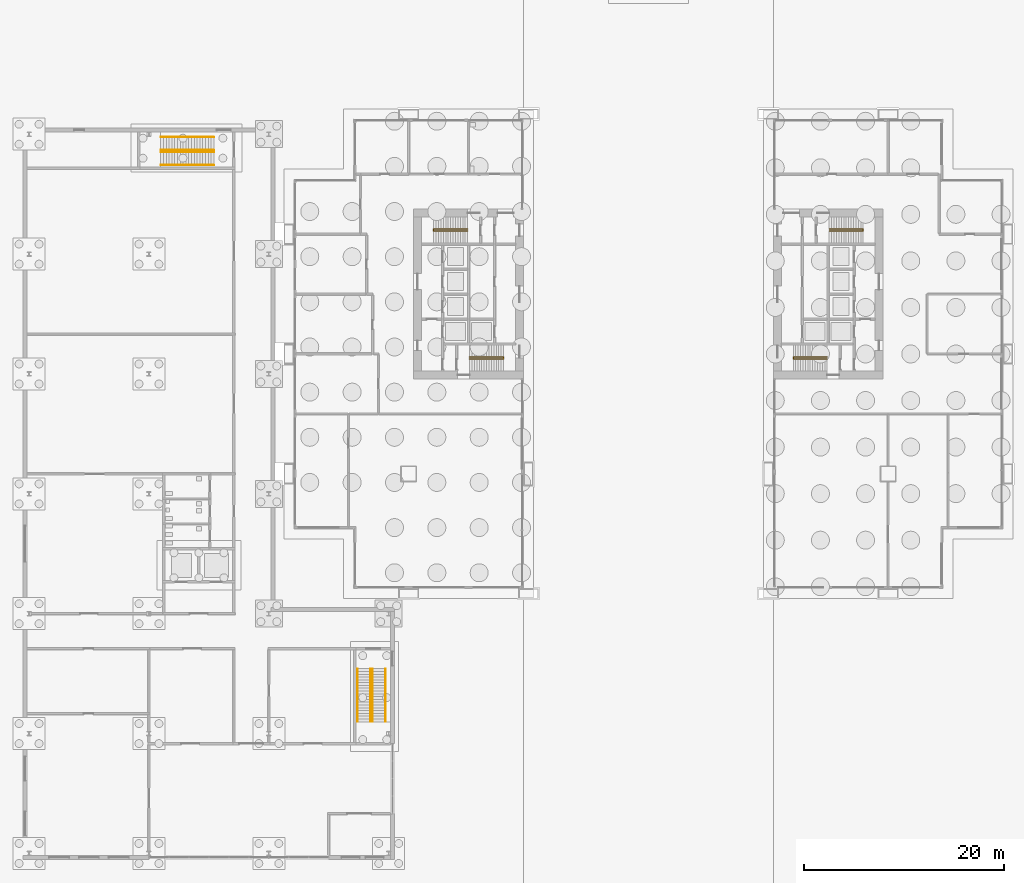
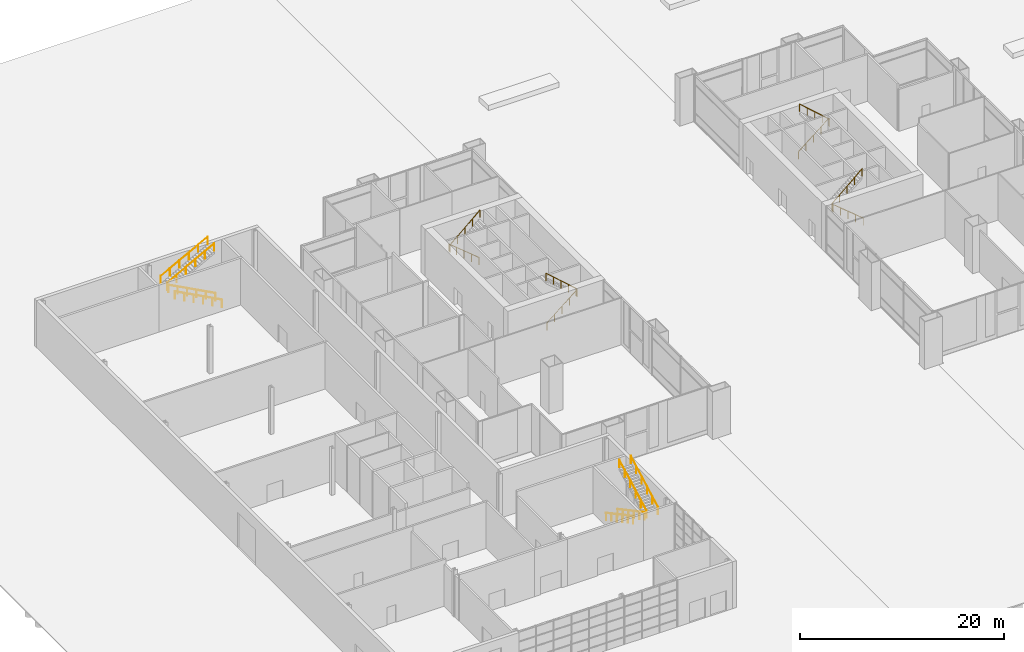
# One storey, part 27 of 29: 12 railings.
"""IFC4 building model written with IfcOpenShell, lengths in metres."""

from ifc_helpers import new_model, si_unit, direction, frame, origin, origin_2d, place, context, subcontext, project, spatial, circle, extrude, material, type_object, element, save


model = new_model("IFC4")

# Units and contexts
model_context = context("Model", 3, precision=1e-05, world=origin(), true_north=direction((0.0, 1.0)))
body_context = subcontext(model_context, "Body", "Model", "MODEL_VIEW")
ifc_project = project(units=[si_unit("LENGTHUNIT", "METRE"), si_unit("AREAUNIT", "SQUARE_METRE"), si_unit("VOLUMEUNIT", "CUBIC_METRE"), si_unit("PLANEANGLEUNIT", "RADIAN"), si_unit("MASSUNIT", "GRAM", prefix="KILO")], contexts=[model_context])

# Site, building, storey
site_placement = place(None, origin())
site = spatial("IfcSite", under=ifc_project, at=site_placement, CompositionType="ELEMENT")
building_placement = place(site_placement, origin())
building = spatial("IfcBuilding", under=site, at=building_placement, Name="Kitamizu Gate Tower and Museum", CompositionType="ELEMENT")
storey_placement = place(building_placement, origin())
storey = spatial("IfcBuildingStorey", under=building, at=storey_placement, Name="L00", CompositionType="ELEMENT", Elevation=0.0)

# Railings
ifc_material_1 = material(Name="Stainless steel SUS304", Category="steel")
railing_type_1 = type_object("IfcRailingType", Name="Museum stair handrail 900", PredefinedType="HANDRAIL", material=ifc_material_1)
for number, where, name in (
    (1, (6.89990234375, -7.5, 0.14990234375), "Handrail stair S"),
    (2, (8.199951171875, -7.5, 0.14990234375), "Handrail stair S"),
):
    element("IfcRailing", number, at=place(storey_placement, frame(where)), inside=storey, type_object=railing_type_1, Name=name, PredefinedType="HANDRAIL", context=body_context, shape_type="SweptSolid", body=[
        extrude(circle(Radius=0.0224609375, at=origin_2d()), frame((0.0, 0.0, 0.87744140625), z_axis=(0.0, -0.881475760486, 0.472229270245), x_axis=(1.0, 0.0, 0.0)), (0.0, 0.0, 1.0), 6.035400390625),
        extrude(circle(Radius=0.01513671875, at=origin_2d()), origin(), (0.0, 0.0, 1.0), 0.85498046875),
        extrude(circle(Radius=0.01513671875, at=origin_2d()), frame((0.0, -1.06396484375, 0.570068359375)), (0.0, 0.0, 1.0), 0.85498046875),
        extrude(circle(Radius=0.01513671875, at=origin_2d()), frame((0.0, -2.1279296875, 1.14013671875)), (0.0, 0.0, 1.0), 0.85498046875),
        extrude(circle(Radius=0.01513671875, at=origin_2d()), frame((0.0, -3.192138671875, 1.7099609375)), (0.0, 0.0, 1.0), 0.85498046875),
        extrude(circle(Radius=0.01513671875, at=origin_2d()), frame((0.0, -4.256103515625, 2.280029296875)), (0.0, 0.0, 1.0), 0.85498046875),
        extrude(circle(Radius=0.01513671875, at=origin_2d()), frame((0.0, -5.320068359375, 2.85009765625)), (0.0, 0.0, 1.0), 0.85498046875),
    ])
for number, where, name in (
    (3, (8.39990234375, -12.820068359375, 3.14990234375), "Handrail stair S"),
    (4, (9.699951171875, -12.820068359375, 3.14990234375), "Handrail stair S"),
):
    element("IfcRailing", number, at=place(storey_placement, frame(where)), inside=storey, type_object=railing_type_1, Name=name, PredefinedType="HANDRAIL", context=body_context, shape_type="SweptSolid", body=[
        extrude(circle(Radius=0.0224609375, at=origin_2d()), frame((0.0, 0.0, 0.87744140625), z_axis=(0.0, 0.881475760486, 0.472229270245), x_axis=(-1.0, 0.0, 0.0)), (0.0, 0.0, 1.0), 6.035400390625),
        extrude(circle(Radius=0.01513671875, at=origin_2d()), origin(), (0.0, 0.0, 1.0), 0.85498046875),
        extrude(circle(Radius=0.01513671875, at=origin_2d()), frame((0.0, 1.06396484375, 0.570068359375)), (0.0, 0.0, 1.0), 0.85498046875),
        extrude(circle(Radius=0.01513671875, at=origin_2d()), frame((0.0, 2.1279296875, 1.14013671875)), (0.0, 0.0, 1.0), 0.85498046875),
        extrude(circle(Radius=0.01513671875, at=origin_2d()), frame((0.0, 3.192138671875, 1.7099609375)), (0.0, 0.0, 1.0), 0.85498046875),
        extrude(circle(Radius=0.01513671875, at=origin_2d()), frame((0.0, 4.256103515625, 2.280029296875)), (0.0, 0.0, 1.0), 0.85498046875),
        extrude(circle(Radius=0.01513671875, at=origin_2d()), frame((0.0, 5.320068359375, 2.85009765625)), (0.0, 0.0, 1.0), 0.85498046875),
    ])
for number, where, name in (
    (5, (-7.5, 42.89990234375, 0.14990234375), "Handrail stair N"),
    (6, (-7.5, 44.199951171875, 0.14990234375), "Handrail stair N"),
):
    element("IfcRailing", number, at=place(storey_placement, frame(where)), inside=storey, type_object=railing_type_1, Name=name, PredefinedType="HANDRAIL", context=body_context, shape_type="SweptSolid", body=[
        extrude(circle(Radius=0.0224609375, at=origin_2d()), frame((0.0, 0.0, 0.87744140625), z_axis=(-0.881475760486, 0.0, 0.472229270245), x_axis=(0.0, -1.0, 0.0)), (0.0, 0.0, 1.0), 6.035400390625),
        extrude(circle(Radius=0.01513671875, at=origin_2d()), origin(), (0.0, 0.0, 1.0), 0.85498046875),
        extrude(circle(Radius=0.01513671875, at=origin_2d()), frame((-1.06396484375, 0.0, 0.570068359375)), (0.0, 0.0, 1.0), 0.85498046875),
        extrude(circle(Radius=0.01513671875, at=origin_2d()), frame((-2.1279296875, 0.0, 1.14013671875)), (0.0, 0.0, 1.0), 0.85498046875),
        extrude(circle(Radius=0.01513671875, at=origin_2d()), frame((-3.192138671875, 0.0, 1.7099609375)), (0.0, 0.0, 1.0), 0.85498046875),
        extrude(circle(Radius=0.01513671875, at=origin_2d()), frame((-4.256103515625, 0.0, 2.280029296875)), (0.0, 0.0, 1.0), 0.85498046875),
        extrude(circle(Radius=0.01513671875, at=origin_2d()), frame((-5.320068359375, 0.0, 2.85009765625)), (0.0, 0.0, 1.0), 0.85498046875),
    ])
for number, where, name in (
    (7, (-12.820068359375, 44.39990234375, 3.14990234375), "Handrail stair N"),
    (8, (-12.820068359375, 45.699951171875, 3.14990234375), "Handrail stair N"),
):
    element("IfcRailing", number, at=place(storey_placement, frame(where)), inside=storey, type_object=railing_type_1, Name=name, PredefinedType="HANDRAIL", context=body_context, shape_type="SweptSolid", body=[
        extrude(circle(Radius=0.0224609375, at=origin_2d()), frame((0.0, 0.0, 0.87744140625), z_axis=(0.881475760486, 0.0, 0.472229270245), x_axis=(0.0, 1.0, 0.0)), (0.0, 0.0, 1.0), 6.035400390625),
        extrude(circle(Radius=0.01513671875, at=origin_2d()), origin(), (0.0, 0.0, 1.0), 0.85498046875),
        extrude(circle(Radius=0.01513671875, at=origin_2d()), frame((1.06396484375, 0.0, 0.570068359375)), (0.0, 0.0, 1.0), 0.85498046875),
        extrude(circle(Radius=0.01513671875, at=origin_2d()), frame((2.1279296875, 0.0, 1.14013671875)), (0.0, 0.0, 1.0), 0.85498046875),
        extrude(circle(Radius=0.01513671875, at=origin_2d()), frame((3.192138671875, 0.0, 1.7099609375)), (0.0, 0.0, 1.0), 0.85498046875),
        extrude(circle(Radius=0.01513671875, at=origin_2d()), frame((4.256103515625, 0.0, 2.280029296875)), (0.0, 0.0, 1.0), 0.85498046875),
        extrude(circle(Radius=0.01513671875, at=origin_2d()), frame((5.320068359375, 0.0, 2.85009765625)), (0.0, 0.0, 1.0), 0.85498046875),
    ])
ifc_material_2 = material(Name="Stainless steel SUS304", Category="steel")
railing_type_2 = type_object("IfcRailingType", Name="Stair handrail 900", PredefinedType="HANDRAIL", material=ifc_material_2)
railing_1_placement = place(storey_placement, frame((18.10009765625, 23.5, 0.199951171875)))
element("IfcRailing", 9, at=railing_1_placement, inside=storey, type_object=railing_type_2, Name="Stair handrail ST1", PredefinedType="HANDRAIL", context=body_context, shape_type="SweptSolid", body=[
    extrude(circle(Radius=0.02392578125, at=origin_2d()), frame((0.0, 0.0, 0.8759765625), z_axis=(0.771915835092, 0.0, 0.63572473881), x_axis=(0.0, 1.0, 0.0)), (0.0, 0.0, 1.0), 4.404541015625),
    extrude(circle(Radius=0.02392578125, at=origin_2d()), frame((3.39990234375, 0.0, 3.67578125), z_axis=(0.0, 1.0, 0.0), x_axis=(-1.0, 0.0, 0.0)), (0.0, 0.0, 1.0), 0.199951171875),
    extrude(circle(Radius=0.02392578125, at=origin_2d()), frame((3.39990234375, 0.199951171875, 3.67578125), z_axis=(-0.74982842739, 0.0, 0.661632321971), x_axis=(0.0, -1.0, 0.0)), (0.0, 0.0, 1.0), 4.5341796875),
    extrude(circle(Radius=0.02099609375, at=origin_2d()), origin(), (0.0, 0.0, 1.0), 0.851806640625),
    extrude(circle(Radius=0.02099609375, at=origin_2d()), frame((0.85009765625, 0.0, 0.699951171875)), (0.0, 0.0, 1.0), 0.851806640625),
    extrude(circle(Radius=0.02099609375, at=origin_2d()), frame((1.699951171875, 0.0, 1.39990234375)), (0.0, 0.0, 1.0), 0.851806640625),
    extrude(circle(Radius=0.02099609375, at=origin_2d()), frame((2.5498046875, 0.0, 2.10009765625)), (0.0, 0.0, 1.0), 0.851806640625),
    extrude(circle(Radius=0.02099609375, at=origin_2d()), frame((3.39990234375, 0.0, 2.800048828125)), (0.0, 0.0, 1.0), 0.851806640625),
    extrude(circle(Radius=0.02099609375, at=origin_2d()), frame((3.39990234375, 0.199951171875, 2.800048828125)), (0.0, 0.0, 1.0), 0.851806640625),
    extrude(circle(Radius=0.02099609375, at=origin_2d()), frame((2.5498046875, 0.199951171875, 3.550048828125)), (0.0, 0.0, 1.0), 0.851806640625),
    extrude(circle(Radius=0.02099609375, at=origin_2d()), frame((1.699951171875, 0.199951171875, 4.300048828125)), (0.0, 0.0, 1.0), 0.851806640625),
    extrude(circle(Radius=0.02099609375, at=origin_2d()), frame((0.85009765625, 0.199951171875, 5.050048828125)), (0.0, 0.0, 1.0), 0.851806640625),
    extrude(circle(Radius=0.02099609375, at=origin_2d()), frame((0.0, 0.199951171875, 5.800048828125)), (0.0, 0.0, 1.0), 0.851806640625),
])
railing_2_placement = place(storey_placement, frame((17.89990234375, 36.5, 0.199951171875)))
element("IfcRailing", 10, at=railing_2_placement, inside=storey, type_object=railing_type_2, Name="Stair handrail ST2", PredefinedType="HANDRAIL", context=body_context, shape_type="SweptSolid", body=[
    extrude(circle(Radius=0.02392578125, at=origin_2d()), frame((0.0, 0.0, 0.8759765625), z_axis=(-0.771915835092, 0.0, 0.63572473881), x_axis=(0.0, -1.0, 0.0)), (0.0, 0.0, 1.0), 4.404541015625),
    extrude(circle(Radius=0.02392578125, at=origin_2d()), frame((-3.39990234375, 0.0, 3.67578125), z_axis=(0.0, -1.0, 0.0), x_axis=(1.0, 0.0, 0.0)), (0.0, 0.0, 1.0), 0.199951171875),
    extrude(circle(Radius=0.02392578125, at=origin_2d()), frame((-3.39990234375, -0.199951171875, 3.67578125), z_axis=(0.74982842739, 0.0, 0.661632321971), x_axis=(0.0, 1.0, 0.0)), (0.0, 0.0, 1.0), 4.5341796875),
    extrude(circle(Radius=0.02099609375, at=origin_2d()), origin(), (0.0, 0.0, 1.0), 0.851806640625),
    extrude(circle(Radius=0.02099609375, at=origin_2d()), frame((-0.85009765625, 0.0, 0.699951171875)), (0.0, 0.0, 1.0), 0.851806640625),
    extrude(circle(Radius=0.02099609375, at=origin_2d()), frame((-1.699951171875, 0.0, 1.39990234375)), (0.0, 0.0, 1.0), 0.851806640625),
    extrude(circle(Radius=0.02099609375, at=origin_2d()), frame((-2.5498046875, 0.0, 2.10009765625)), (0.0, 0.0, 1.0), 0.851806640625),
    extrude(circle(Radius=0.02099609375, at=origin_2d()), frame((-3.39990234375, 0.0, 2.800048828125)), (0.0, 0.0, 1.0), 0.851806640625),
    extrude(circle(Radius=0.02099609375, at=origin_2d()), frame((-3.39990234375, -0.199951171875, 2.800048828125)), (0.0, 0.0, 1.0), 0.851806640625),
    extrude(circle(Radius=0.02099609375, at=origin_2d()), frame((-2.5498046875, -0.199951171875, 3.550048828125)), (0.0, 0.0, 1.0), 0.851806640625),
    extrude(circle(Radius=0.02099609375, at=origin_2d()), frame((-1.699951171875, -0.199951171875, 4.300048828125)), (0.0, 0.0, 1.0), 0.851806640625),
    extrude(circle(Radius=0.02099609375, at=origin_2d()), frame((-0.85009765625, -0.199951171875, 5.050048828125)), (0.0, 0.0, 1.0), 0.851806640625),
    extrude(circle(Radius=0.02099609375, at=origin_2d()), frame((0.0, -0.199951171875, 5.800048828125)), (0.0, 0.0, 1.0), 0.851806640625),
])
railing_3_placement = place(storey_placement, frame((53.89990234375, 23.5, 0.199951171875)))
element("IfcRailing", 11, at=railing_3_placement, inside=storey, type_object=railing_type_2, Name="Stair handrail ST3", PredefinedType="HANDRAIL", context=body_context, shape_type="SweptSolid", body=[
    extrude(circle(Radius=0.02392578125, at=origin_2d()), frame((0.0, 0.0, 0.8759765625), z_axis=(-0.771915835092, 0.0, 0.63572473881), x_axis=(0.0, -1.0, 0.0)), (0.0, 0.0, 1.0), 4.404541015625),
    extrude(circle(Radius=0.02392578125, at=origin_2d()), frame((-3.39990234375, 0.0, 3.67578125), z_axis=(0.0, 1.0, 0.0), x_axis=(-1.0, 0.0, 0.0)), (0.0, 0.0, 1.0), 0.199951171875),
    extrude(circle(Radius=0.02392578125, at=origin_2d()), frame((-3.39990234375, 0.199951171875, 3.67578125), z_axis=(0.74982842739, 0.0, 0.661632321971), x_axis=(0.0, 1.0, 0.0)), (0.0, 0.0, 1.0), 4.5341796875),
    extrude(circle(Radius=0.02099609375, at=origin_2d()), origin(), (0.0, 0.0, 1.0), 0.851806640625),
    extrude(circle(Radius=0.02099609375, at=origin_2d()), frame((-0.85009765625, 0.0, 0.699951171875)), (0.0, 0.0, 1.0), 0.851806640625),
    extrude(circle(Radius=0.02099609375, at=origin_2d()), frame((-1.699951171875, 0.0, 1.39990234375)), (0.0, 0.0, 1.0), 0.851806640625),
    extrude(circle(Radius=0.02099609375, at=origin_2d()), frame((-2.5498046875, 0.0, 2.10009765625)), (0.0, 0.0, 1.0), 0.851806640625),
    extrude(circle(Radius=0.02099609375, at=origin_2d()), frame((-3.39990234375, 0.0, 2.800048828125)), (0.0, 0.0, 1.0), 0.851806640625),
    extrude(circle(Radius=0.02099609375, at=origin_2d()), frame((-3.39990234375, 0.199951171875, 2.800048828125)), (0.0, 0.0, 1.0), 0.851806640625),
    extrude(circle(Radius=0.02099609375, at=origin_2d()), frame((-2.5498046875, 0.199951171875, 3.550048828125)), (0.0, 0.0, 1.0), 0.851806640625),
    extrude(circle(Radius=0.02099609375, at=origin_2d()), frame((-1.699951171875, 0.199951171875, 4.300048828125)), (0.0, 0.0, 1.0), 0.851806640625),
    extrude(circle(Radius=0.02099609375, at=origin_2d()), frame((-0.85009765625, 0.199951171875, 5.050048828125)), (0.0, 0.0, 1.0), 0.851806640625),
    extrude(circle(Radius=0.02099609375, at=origin_2d()), frame((0.0, 0.199951171875, 5.800048828125)), (0.0, 0.0, 1.0), 0.851806640625),
])
railing_4_placement = place(storey_placement, frame((54.10009765625, 36.5, 0.199951171875)))
element("IfcRailing", 12, at=railing_4_placement, inside=storey, type_object=railing_type_2, Name="Stair handrail ST4", PredefinedType="HANDRAIL", context=body_context, shape_type="SweptSolid", body=[
    extrude(circle(Radius=0.02392578125, at=origin_2d()), frame((0.0, 0.0, 0.8759765625), z_axis=(0.771915835092, 0.0, 0.63572473881), x_axis=(0.0, 1.0, 0.0)), (0.0, 0.0, 1.0), 4.404541015625),
    extrude(circle(Radius=0.02392578125, at=origin_2d()), frame((3.39990234375, 0.0, 3.67578125), z_axis=(0.0, -1.0, 0.0), x_axis=(1.0, 0.0, 0.0)), (0.0, 0.0, 1.0), 0.199951171875),
    extrude(circle(Radius=0.02392578125, at=origin_2d()), frame((3.39990234375, -0.199951171875, 3.67578125), z_axis=(-0.74982842739, 0.0, 0.661632321971), x_axis=(0.0, -1.0, 0.0)), (0.0, 0.0, 1.0), 4.5341796875),
    extrude(circle(Radius=0.02099609375, at=origin_2d()), origin(), (0.0, 0.0, 1.0), 0.851806640625),
    extrude(circle(Radius=0.02099609375, at=origin_2d()), frame((0.85009765625, 0.0, 0.699951171875)), (0.0, 0.0, 1.0), 0.851806640625),
    extrude(circle(Radius=0.02099609375, at=origin_2d()), frame((1.699951171875, 0.0, 1.39990234375)), (0.0, 0.0, 1.0), 0.851806640625),
    extrude(circle(Radius=0.02099609375, at=origin_2d()), frame((2.5498046875, 0.0, 2.10009765625)), (0.0, 0.0, 1.0), 0.851806640625),
    extrude(circle(Radius=0.02099609375, at=origin_2d()), frame((3.39990234375, 0.0, 2.800048828125)), (0.0, 0.0, 1.0), 0.851806640625),
    extrude(circle(Radius=0.02099609375, at=origin_2d()), frame((3.39990234375, -0.199951171875, 2.800048828125)), (0.0, 0.0, 1.0), 0.851806640625),
    extrude(circle(Radius=0.02099609375, at=origin_2d()), frame((2.5498046875, -0.199951171875, 3.550048828125)), (0.0, 0.0, 1.0), 0.851806640625),
    extrude(circle(Radius=0.02099609375, at=origin_2d()), frame((1.699951171875, -0.199951171875, 4.300048828125)), (0.0, 0.0, 1.0), 0.851806640625),
    extrude(circle(Radius=0.02099609375, at=origin_2d()), frame((0.85009765625, -0.199951171875, 5.050048828125)), (0.0, 0.0, 1.0), 0.851806640625),
    extrude(circle(Radius=0.02099609375, at=origin_2d()), frame((0.0, -0.199951171875, 5.800048828125)), (0.0, 0.0, 1.0), 0.851806640625),
])

save(model, "model.ifc")
